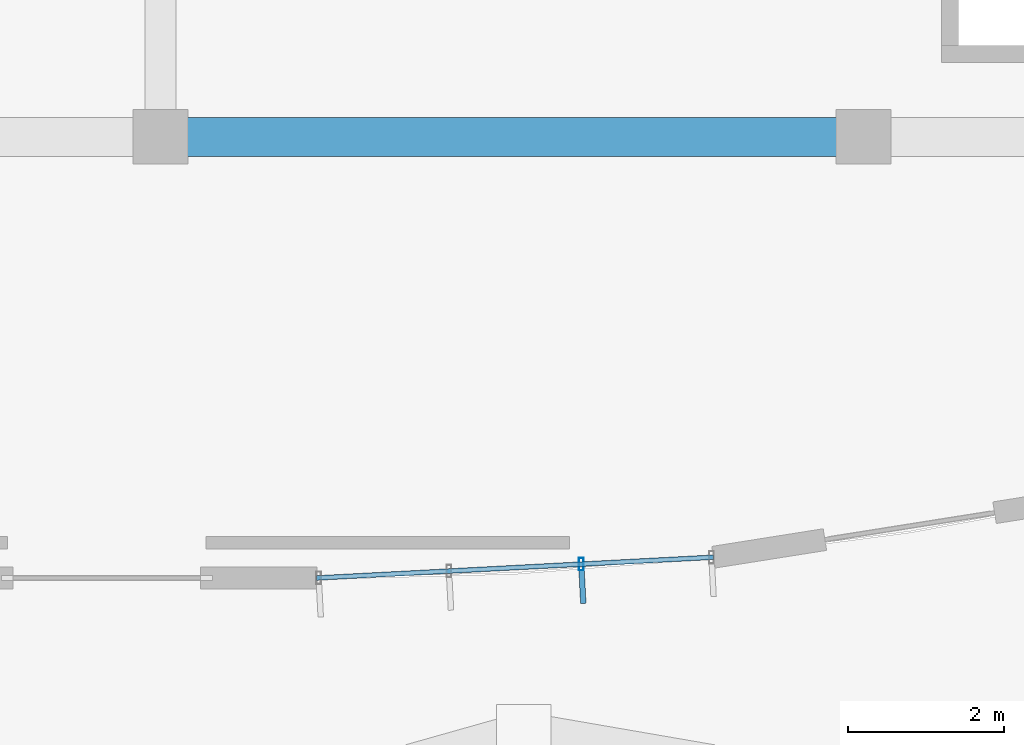
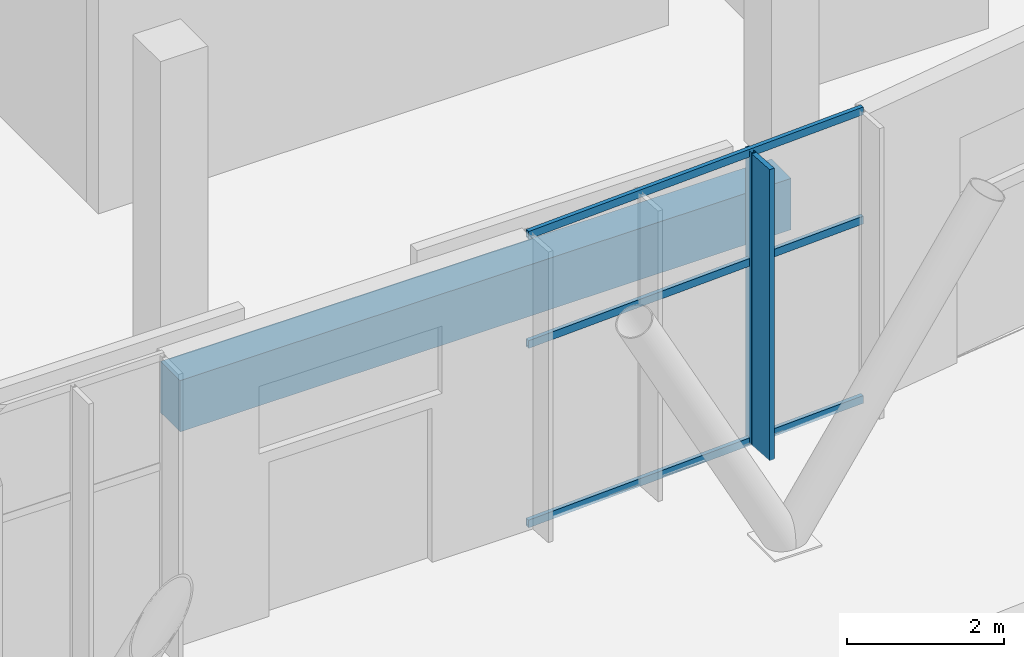
# One storey, part 38 of 151: 5 members, 1 beam, 1 element without a shape of its own.
"""IFC4 building model written with IfcOpenShell, lengths in metres."""

from ifc_helpers import new_model, si_unit, direction, frame, origin, origin_2d, place, context, subcontext, project, spatial, rectangle, hollow_rectangle, extrude, material, material_profile, profile_set, type_object, element, aggregate, save


model = new_model("IFC4")

# Units and contexts
model_context = context("Model", 3, precision=1e-05, world=origin(), true_north=direction((0.0, 1.0)))
body_context = subcontext(model_context, "Body", "Model", "MODEL_VIEW")
ifc_project = project(units=[si_unit("LENGTHUNIT", "METRE"), si_unit("AREAUNIT", "SQUARE_METRE"), si_unit("VOLUMEUNIT", "CUBIC_METRE"), si_unit("PLANEANGLEUNIT", "RADIAN"), si_unit("MASSUNIT", "GRAM", prefix="KILO")], contexts=[model_context])

# Site, building, storey
site_placement = place(None, origin())
site = spatial("IfcSite", under=ifc_project, at=site_placement, CompositionType="ELEMENT")
building_placement = place(site_placement, origin())
building = spatial("IfcBuilding", under=site, at=building_placement, Name="Chiffa Square Polytechnic", CompositionType="ELEMENT")
storey_placement = place(building_placement, origin())
storey = spatial("IfcBuildingStorey", under=building, at=storey_placement, Name="L00", CompositionType="ELEMENT", Elevation=0.0)

# Beam
ifc_material_1 = material(Name="Concrete C40/50", Category="concrete")
ifc_material_profile_1 = material_profile(ifc_material_1, rectangle(XDim=0.5, YDim=0.800048828125, at=origin_2d()), Name="RC 500x800")
ifc_profile_set_1 = profile_set([ifc_material_profile_1], Name="Concrete C40/50")
beam_type = type_object("IfcBeamType", Name="BM-RC-500X800", PredefinedType="BEAM", material=ifc_profile_set_1)
beam_placement = place(storey_placement, frame((121.199951171875, 14.39990234375, -0.75), z_axis=(1.0, 0.0, 0.0), x_axis=(0.0, 1.0, 0.0)))
element("IfcBeam", 1, at=beam_placement, inside=storey, type_object=beam_type, Name="Primary floor girder BM-V1-L00-X-1212-0144", PredefinedType="BEAM", context=body_context, shape_type="SweptSolid", body=[
    extrude(rectangle(XDim=0.5, YDim=0.800048828125, at=origin_2d()), origin(), (0.0, 0.0, 1.0), 9.0),
])

# Curtain wall, members
ifc_material_2 = material(Name="Aluminium EN AW-6060 T66 and glulam shading", Category="wood")
curtain_wall_type = type_object("IfcCurtainWallType", Name="CW-VERT-450X380", PredefinedType="USERDEFINED", material=ifc_material_2)
curtain_wall_placement = place(storey_placement, origin())
curtain_wall = element("IfcCurtainWall", 2, at=curtain_wall_placement, inside=storey, type_object=curtain_wall_type, Name="Curtain wall CW-V1-L00-002", ObjectType="CURTAIN WALL", PredefinedType="USERDEFINED")
ifc_material_3 = material(Name="Aluminium EN AW-6060 T66", Category="aluminium")
ifc_material_profile_2 = material_profile(ifc_material_3, hollow_rectangle(XDim=0.06005859375, YDim=0.159912109375, WallThickness=0.00390625, at=origin_2d()), Name="ALU 60x160x4")
ifc_profile_set_2 = profile_set([ifc_material_profile_2], Name="Aluminium EN AW-6060 T66")
member_type_1 = type_object("IfcMemberType", Name="CWM-ALU-65X150", PredefinedType="MULLION", material=ifc_profile_set_2)
member_1_placement = place(storey_placement, frame((126.5869140625, 8.927001953125, -0.02001953125), z_axis=(0.0, 0.0, 1.0), x_axis=(1.0, 0.0, 0.0)))
member_1 = element("IfcMember", 3, at=member_1_placement, type_object=member_type_1, Name="Curtain wall mullion CW-V1-L00-002-M02", PredefinedType="MULLION", context=body_context, shape_type="SweptSolid", body=[
    extrude(hollow_rectangle(XDim=0.06005859375, YDim=0.159912109375, WallThickness=0.00390625, at=origin_2d()), origin(), (0.0, 0.0, 1.0), 4.554931640625),
])
ifc_material_4 = material(Name="Glulam GL28h", Category="wood")
ifc_material_profile_3 = material_profile(ifc_material_4, rectangle(XDim=0.070068359375, YDim=0.419921875, at=origin_2d()), Name="GL28h 70x420")
ifc_profile_set_3 = profile_set([ifc_material_profile_3], Name="Glulam GL28h")
member_type_2 = type_object("IfcMemberType", Name="CWM-GL-70X420", PredefinedType="MULLION", material=ifc_profile_set_3)
member_2_placement = place(storey_placement, frame((126.60205078125, 8.635009765625, -0.010009765625), z_axis=(0.0, 0.0, 1.0), x_axis=(0.99863227369, 0.052283668051, 0.0)))
member_2 = element("IfcMember", 4, at=member_2_placement, type_object=member_type_2, Name="Exterior glulam solar fin CW-V1-L00-002-FN02", PredefinedType="MULLION", context=body_context, shape_type="SweptSolid", body=[
    extrude(rectangle(XDim=0.070068359375, YDim=0.419921875, at=origin_2d()), origin(), (0.0, 0.0, 1.0), 4.534912109375),
])
ifc_material_profile_4 = material_profile(ifc_material_3, hollow_rectangle(XDim=0.06005859375, YDim=0.1201171875, WallThickness=0.00390625, at=origin_2d()), Name="ALU 60x120x4")
ifc_profile_set_4 = profile_set([ifc_material_profile_4], Name="Aluminium EN AW-6060 T66")
member_type_3 = type_object("IfcMemberType", Name="CWT-ALU-65X120", PredefinedType="USERDEFINED", material=ifc_profile_set_4)
member_3_placement = place(storey_placement, frame((123.197998046875, 8.75, 0.010009765625), z_axis=(0.998632890231, 0.052271890624, 0.0), x_axis=(-0.052271890624, 0.998632890231, 0.0)))
member_3 = element("IfcMember", 5, at=member_3_placement, type_object=member_type_3, Name="Curtain wall transom CW-V1-L00-002-T01", ObjectType="TRANSOM", PredefinedType="USERDEFINED", context=body_context, shape_type="SweptSolid", body=[
    extrude(hollow_rectangle(XDim=0.06005859375, YDim=0.1201171875, WallThickness=0.00390625, at=origin_2d()), origin(), (0.0, 0.0, 1.0), 5.091064453125),
])
member_4_placement = place(storey_placement, frame((123.197998046875, 8.75, 2.803955078125), z_axis=(0.998632890231, 0.052271890624, 0.0), x_axis=(-0.052271890624, 0.998632890231, 0.0)))
member_4 = element("IfcMember", 6, at=member_4_placement, type_object=member_type_3, Name="Curtain wall transom CW-V1-L00-002-T02", ObjectType="TRANSOM", PredefinedType="USERDEFINED", context=body_context, shape_type="SweptSolid", body=[
    extrude(hollow_rectangle(XDim=0.06005859375, YDim=0.1201171875, WallThickness=0.00390625, at=origin_2d()), origin(), (0.0, 0.0, 1.0), 5.091064453125),
])
member_5_placement = place(storey_placement, frame((123.197998046875, 8.75, 4.5048828125), z_axis=(0.998632890231, 0.052271890624, 0.0), x_axis=(-0.052271890624, 0.998632890231, 0.0)))
member_5 = element("IfcMember", 7, at=member_5_placement, type_object=member_type_3, Name="Curtain wall transom CW-V1-L00-002-T03", ObjectType="TRANSOM", PredefinedType="USERDEFINED", context=body_context, shape_type="SweptSolid", body=[
    extrude(hollow_rectangle(XDim=0.06005859375, YDim=0.1201171875, WallThickness=0.00390625, at=origin_2d()), origin(), (0.0, 0.0, 1.0), 5.091064453125),
])
aggregate(curtain_wall, [member_1, member_2, member_3, member_4, member_5])

save(model, "model.ifc")
